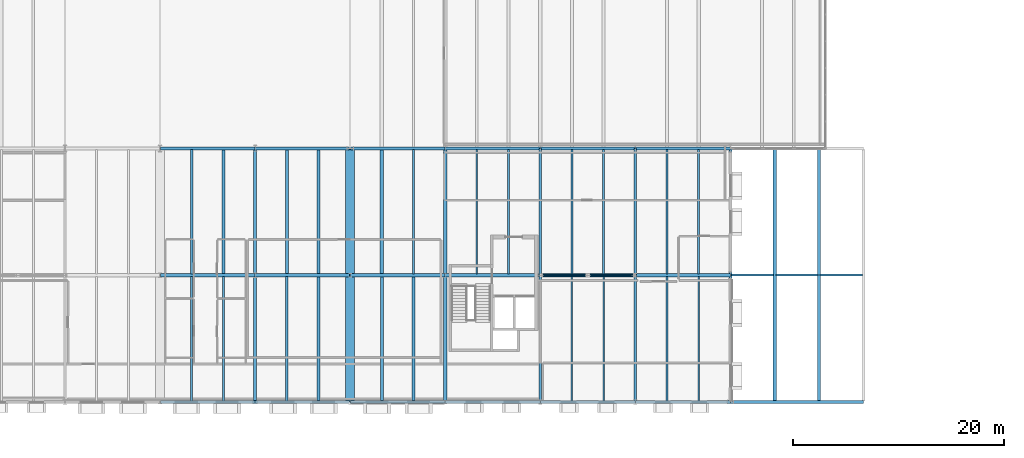
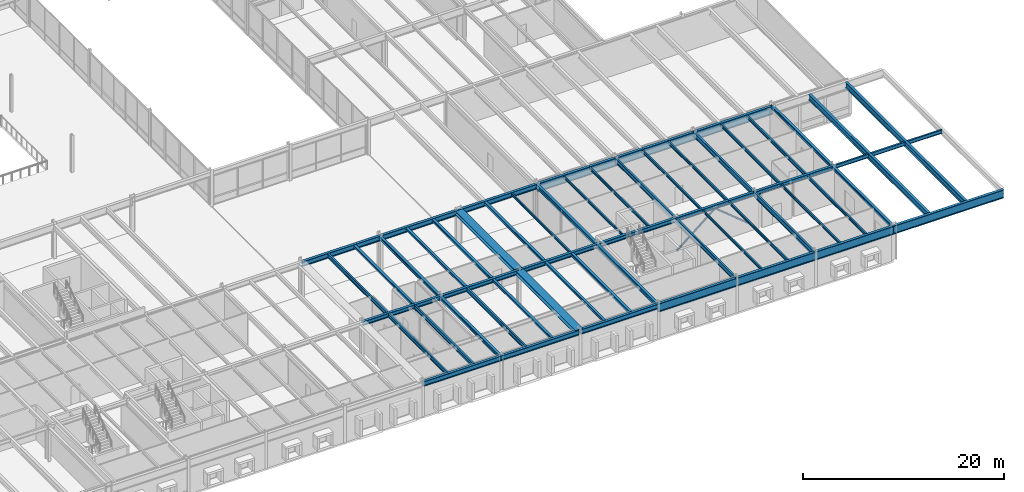
# One storey, part 35 of 115: 58 beams, 2 members.
"""IFC4 building model written with IfcOpenShell, lengths in metres."""

import ifcopenshell
import ifcopenshell.guid

model = None  # the IFC model being written
_history = None  # IfcOwnerHistory: only IFC2X3 demands one
_inside = {}  # id of a spatial element -> (the spatial element, [elements in it])
_under = {}  # id of a project, library or spatial element -> (it, [spatial elements below it])
_declared = {}  # id of a project -> (the project, [libraries it declares])
_typed = {}  # id of a type object -> (the type object, [elements of that type])
_made_of = {}  # id of a material, layer set ... -> (it, [elements and type objects made of it])


def new_model(schema):
    """Start an empty IFC model of exactly this schema.

    Asked for "IFC4X3", IfcOpenShell would pick the latest addendum, in which some entities
    have other attributes; the version numbers below select the first issue.
    IFC2X3 requires an IfcOwnerHistory on every rooted entity: one is made here for all.
    """
    global model, _history
    if schema == "IFC4X3":
        model = ifcopenshell.file(schema_version=(4, 3, 0, 0))
    else:
        model = ifcopenshell.file(schema=schema)
    _inside.clear()
    _under.clear()
    _declared.clear()
    _typed.clear()
    _made_of.clear()
    _history = None
    if model.schema == "IFC2X3":
        org = make("IfcOrganization", Name="unknown")
        user = make(
            "IfcPersonAndOrganization",
            ThePerson=make("IfcPerson", FamilyName="unknown"),
            TheOrganization=org,
        )
        app = make(
            "IfcApplication",
            ApplicationDeveloper=org,
            Version="unknown",
            ApplicationFullName="unknown",
            ApplicationIdentifier="unknown",
        )
        _history = make(
            "IfcOwnerHistory",
            OwningUser=user,
            OwningApplication=app,
            ChangeAction="ADDED",
            CreationDate=0,
        )
    return model


def make(cls, **values):
    """One entity of the class cls with the attributes given. An attribute that is None is left unset."""
    return model.create_entity(
        cls, **{name: value for name, value in values.items() if value is not None}
    )


def rooted(cls, **values):
    """An entity with a GlobalId (a new one), such as an element, a storey or a relation."""
    return make(cls, GlobalId=ifcopenshell.guid.new(), OwnerHistory=_history, **values)


def si_unit(unit_type, name, prefix=None):
    """IfcSIUnit, for example si_unit("LENGTHUNIT", "METRE", prefix="MILLI")."""
    return make("IfcSIUnit", UnitType=unit_type, Prefix=prefix, Name=name)


def assignment(units):
    """IfcUnitAssignment: the units of a project."""
    return None if units is None else make("IfcUnitAssignment", Units=units)


def point(xyz):
    """IfcCartesianPoint."""
    return None if xyz is None else make("IfcCartesianPoint", Coordinates=xyz)


def direction(xyz):
    """IfcDirection."""
    return None if xyz is None else make("IfcDirection", DirectionRatios=xyz)


def frame(location, z_axis=None, x_axis=None):
    """IfcAxis2Placement3D, a coordinate frame: its origin and axes. An axis left out is left unset."""
    return make(
        "IfcAxis2Placement3D",
        Location=point(location),
        Axis=direction(z_axis),
        RefDirection=direction(x_axis),
    )


def frame_2d(location, x_axis=None):
    """IfcAxis2Placement2D, a coordinate frame in the plane: its origin and x axis."""
    return make(
        "IfcAxis2Placement2D", Location=point(location), RefDirection=direction(x_axis)
    )


def origin():
    """The frame at (0, 0, 0) with its axes left unset."""
    return frame((0.0, 0.0, 0.0))


def origin_2d():
    """The frame at (0, 0) in the plane with its x axis left unset."""
    return frame_2d((0.0, 0.0))


def place(relative_to, where):
    """IfcLocalPlacement: puts the frame where relative to a parent placement (None: the world)."""
    return make(
        "IfcLocalPlacement", PlacementRelTo=relative_to, RelativePlacement=where
    )


def context(
    kind, dimensions, precision=None, world=None, true_north=None, identifier=None
):
    """IfcGeometricRepresentationContext, for example the 3D "Model" context."""
    return make(
        "IfcGeometricRepresentationContext",
        ContextIdentifier=identifier,
        ContextType=kind,
        CoordinateSpaceDimension=dimensions,
        Precision=precision,
        WorldCoordinateSystem=world,
        TrueNorth=true_north,
    )


def subcontext(parent, identifier, kind, view, scale=None):
    """IfcGeometricRepresentationSubContext, for example "Body" below "Model"."""
    return make(
        "IfcGeometricRepresentationSubContext",
        ContextIdentifier=identifier,
        ContextType=kind,
        ParentContext=parent,
        TargetScale=scale,
        TargetView=view,
    )


def project(units=None, contexts=None):
    """IfcProject with its units and contexts."""
    return rooted(
        "IfcProject",
        Name="project",
        RepresentationContexts=contexts,
        UnitsInContext=assignment(units),
    )


def spatial(cls, under=None, at=None, **own):
    """A site, building, storey or space (cls), placed at a placement, below another one or the project."""
    s = rooted(cls, ObjectPlacement=at, **own)
    if under is not None:
        _under.setdefault(under.id(), (under, []))[1].append(s)
    return s


def profile(cls, at=None, kind="AREA", **sizes):
    """A parametric profile (cls). Its sizes go by their IFC names, for example OverallWidth=200.0."""
    return make(cls, ProfileType=kind, Position=at, **sizes)


def hollow_circle(**sizes):
    """IfcCircleHollowProfileDef."""
    return profile("IfcCircleHollowProfileDef", **sizes)


def i_section(**sizes):
    """IfcIShapeProfileDef."""
    return profile("IfcIShapeProfileDef", **sizes)


def extrude(swept, where, along, depth):
    """IfcExtrudedAreaSolid: the profile swept, set in the frame where, extruded along a direction by depth."""
    return make(
        "IfcExtrudedAreaSolid",
        SweptArea=swept,
        Position=where,
        ExtrudedDirection=direction(along),
        Depth=depth,
    )


def shape(context_of_items, identifier, shape_type, items):
    """IfcShapeRepresentation: the items that make up one representation, for example the "Body"."""
    return make(
        "IfcShapeRepresentation",
        ContextOfItems=context_of_items,
        RepresentationIdentifier=identifier,
        RepresentationType=shape_type,
        Items=items,
    )


def material(Name=None, Category=None):
    """IfcMaterial."""
    return make("IfcMaterial", Name=Name, Category=Category)


def material_profile(
    of_material, cross_section, Name=None, Category=None, Priority=None
):
    """IfcMaterialProfile: a cross section and its material."""
    return make(
        "IfcMaterialProfile",
        Name=Name,
        Material=of_material,
        Profile=cross_section,
        Priority=Priority,
        Category=Category,
    )


def profile_set(profiles, Name=None, composite=None):
    """IfcMaterialProfileSet."""
    return make(
        "IfcMaterialProfileSet",
        Name=Name,
        MaterialProfiles=profiles,
        CompositeProfile=composite,
    )


def made_of(thing, what):
    """Note that an element or type object is made of a material, layer set ...; save() writes the relation."""
    if what is not None:
        _made_of.setdefault(what.id(), (what, []))[1].append(thing)
    return thing


def type_object(cls, material=None, **own):
    """A type object (cls), such as IfcWallType, which elements share."""
    return made_of(rooted(cls, **own), material)


def element(
    cls,
    number,
    at=None,
    inside=None,
    cuts=None,
    type_object=None,
    material=None,
    context=None,
    identifier="Body",
    shape_type=None,
    held_by="IfcProductDefinitionShape",
    body=None,
    shapes=None,
    **own,
):
    """One element of the class cls, such as IfcWall. Its Tag is "e" and its number.

    at: its placement. inside: the storey or other place that contains it. cuts: it is an
    opening in that element (IfcRelVoidsElement). A single representation is given by context,
    identifier, shape_type and body (its items); several are given by shapes. held_by: the class
    of the entity that holds the representations. save() writes the other relations.
    """
    e = rooted(cls, Tag="e%d" % number, ObjectPlacement=at, **own)
    if body is not None:
        shapes = [shape(context, identifier, shape_type, body)]
    if shapes is not None:
        e.Representation = make(held_by, Representations=shapes)
    if inside is not None:
        _inside.setdefault(inside.id(), (inside, []))[1].append(e)
    if cuts is not None:
        rooted(
            "IfcRelVoidsElement", RelatingBuildingElement=cuts, RelatedOpeningElement=e
        )
    if type_object is not None:
        _typed.setdefault(type_object.id(), (type_object, []))[1].append(e)
    return made_of(e, material)


def aggregate(whole, parts):
    """IfcRelAggregates: a whole, such as a stair, and the parts it consists of."""
    return rooted("IfcRelAggregates", RelatingObject=whole, RelatedObjects=parts)


def save(model, path):
    """Write the relations noted so far, then the file.

    IfcRelAggregates (storeys below a building ...), IfcRelContainedInSpatialStructure (elements
    in a storey), IfcRelDefinesByType, IfcRelAssociatesMaterial and IfcRelDeclares: one each for
    every whole, place, type object, material and project.
    """
    for whole, parts in _under.values():
        aggregate(whole, parts)
    for where, things in _inside.values():
        rooted(
            "IfcRelContainedInSpatialStructure",
            RelatedElements=things,
            RelatingStructure=where,
        )
    for kind, things in _typed.values():
        rooted("IfcRelDefinesByType", RelatedObjects=things, RelatingType=kind)
    for what, things in _made_of.values():
        rooted("IfcRelAssociatesMaterial", RelatedObjects=things, RelatingMaterial=what)
    for by, libraries in _declared.values():
        rooted("IfcRelDeclares", RelatingContext=by, RelatedDefinitions=libraries)
    model.write(path)


model = new_model("IFC4")

# Units and contexts
model_context = context("Model", 3, precision=1e-05, world=origin(), true_north=direction((0.0, 1.0)))
body_context = subcontext(model_context, "Body", "Model", "MODEL_VIEW")
ifc_project = project(units=[si_unit("LENGTHUNIT", "METRE"), si_unit("AREAUNIT", "SQUARE_METRE"), si_unit("VOLUMEUNIT", "CUBIC_METRE"), si_unit("PLANEANGLEUNIT", "RADIAN"), si_unit("MASSUNIT", "GRAM", prefix="KILO")], contexts=[model_context])

# Site, building, storey
site_placement = place(None, origin())
site = spatial("IfcSite", under=ifc_project, at=site_placement, CompositionType="ELEMENT")
building_placement = place(site_placement, origin())
building = spatial("IfcBuilding", under=site, at=building_placement, Name="Montelvaro Courts of Justice", CompositionType="ELEMENT")
storey_placement = place(building_placement, frame((0.0, 0.0, 9.89990234375)))
storey = spatial("IfcBuildingStorey", under=building, at=storey_placement, Name="L02", CompositionType="ELEMENT", Elevation=9.89990234375)

# Beams
ifc_material = material(Name="Steel S355", Category="steel")
ifc_material_profile_1 = material_profile(ifc_material, i_section(OverallWidth=0.280029296875, OverallDepth=0.27001953125, WebThickness=0.008056640625, FlangeThickness=0.012939453125, at=origin_2d()), Name="HEA 280")
ifc_profile_set_1 = profile_set([ifc_material_profile_1], Name="Steel S355")
beam_type_1 = type_object("IfcBeamType", Name="Beam_HEA280", PredefinedType="BEAM", material=ifc_profile_set_1)
for number, where, z_axis, x_axis, name in (
    (1, (87.0, 12.110107421875, 4.045166015625), (0.0, 1.0, 0.0), (-1.0, 0.0, 0.0), "Beam B-14 L02"),
    (2, (96.0, 0.110107421875, 4.045166015625), (0.0, 1.0, 0.0), (-1.0, 0.0, 0.0), "Beam B-14 L02"),
    (3, (93.0, 12.110107421875, 4.045166015625), (0.0, 1.0, 0.0), (-1.0, 0.0, 0.0), "Beam B-14 L02"),
    (4, (102.0, 0.110107421875, 4.045166015625), (0.0, 1.0, 0.0), (-1.0, 0.0, 0.0), "Beam B-14 L02"),
):
    element("IfcBeam", number, at=place(storey_placement, frame(where, z_axis=z_axis, x_axis=x_axis)), inside=storey, type_object=beam_type_1, Name=name, PredefinedType="BEAM", context=body_context, shape_type="SweptSolid", body=[
        extrude(i_section(OverallWidth=0.280029296875, OverallDepth=0.27001953125, WebThickness=0.008056640625, FlangeThickness=0.012939453125, at=origin_2d()), origin(), (0.0, 0.0, 1.0), 11.77978515625),
    ])
ifc_material_profile_2 = material_profile(ifc_material, i_section(OverallWidth=0.300048828125, OverallDepth=0.31005859375, WebThickness=0.009033203125, FlangeThickness=0.015380859375, at=origin_2d()), Name="HEA 320")
ifc_profile_set_2 = profile_set([ifc_material_profile_2], Name="Steel S355")
beam_type_2 = type_object("IfcBeamType", Name="Beam_HEA320", PredefinedType="BEAM", material=ifc_profile_set_2)
for number, where, z_axis, x_axis, name in (
    (5, (96.0, 12.110107421875, 4.025146484375), (0.0, 1.0, 0.0), (-1.0, 0.0, 0.0), "Beam B-15 L02"),
    (6, (105.0, 0.110107421875, 4.025146484375), (0.0, 1.0, 0.0), (-1.0, 0.0, 0.0), "Beam B-15 L02"),
    (7, (102.0, 12.110107421875, 4.025146484375), (0.0, 1.0, 0.0), (-1.0, 0.0, 0.0), "Beam B-15 L02"),
):
    element("IfcBeam", number, at=place(storey_placement, frame(where, z_axis=z_axis, x_axis=x_axis)), inside=storey, type_object=beam_type_2, Name=name, PredefinedType="BEAM", context=body_context, shape_type="SweptSolid", body=[
        extrude(i_section(OverallWidth=0.300048828125, OverallDepth=0.31005859375, WebThickness=0.009033203125, FlangeThickness=0.015380859375, at=origin_2d()), origin(), (0.0, 0.0, 1.0), 11.77978515625),
    ])
ifc_material_profile_3 = material_profile(ifc_material, i_section(OverallWidth=0.300048828125, OverallDepth=0.35009765625, WebThickness=0.010009765625, FlangeThickness=0.017578125, at=origin_2d()), Name="HEA 360")
ifc_profile_set_3 = profile_set([ifc_material_profile_3], Name="Steel S355")
beam_type_3 = type_object("IfcBeamType", Name="Beam_HEA360", PredefinedType="USERDEFINED", material=ifc_profile_set_3)
for number, where, z_axis, x_axis, name in (
    (8, (135.0, 0.0, 4.005126953125), (0.0, 1.0, 0.0), (-1.0, 0.0, 0.0), "Beam B-16 L02"),
    (9, (135.0, 12.0, 4.005126953125), (0.0, 1.0, 0.0), (-1.0, 0.0, 0.0), "Beam B-16 L02"),
):
    element("IfcBeam", number, at=place(storey_placement, frame(where, z_axis=z_axis, x_axis=x_axis)), inside=storey, type_object=beam_type_3, Name=name, ObjectType="GIRDER", PredefinedType="USERDEFINED", context=body_context, shape_type="SweptSolid", body=[
        extrude(i_section(OverallWidth=0.300048828125, OverallDepth=0.35009765625, WebThickness=0.010009765625, FlangeThickness=0.017578125, at=origin_2d()), origin(), (0.0, 0.0, 1.0), 12.0),
    ])
ifc_material_profile_4 = material_profile(ifc_material, i_section(OverallWidth=0.300048828125, OverallDepth=0.389892578125, WebThickness=0.010986328125, FlangeThickness=0.01904296875, at=origin_2d()), Name="HEA 400")
ifc_profile_set_4 = profile_set([ifc_material_profile_4], Name="Steel S355")
beam_type_4 = type_object("IfcBeamType", Name="Beam_HEA400", PredefinedType="USERDEFINED", material=ifc_profile_set_4)
for number, where, z_axis, x_axis, name in (
    (10, (90.0, 0.0, 3.985107421875), (0.0, 1.0, 0.0), (-1.0, 0.0, 0.0), "Beam B-17 L02"),
    (11, (90.0, 12.0, 3.985107421875), (0.0, 1.0, 0.0), (-1.0, 0.0, 0.0), "Beam B-17 L02"),
):
    element("IfcBeam", number, at=place(storey_placement, frame(where, z_axis=z_axis, x_axis=x_axis)), inside=storey, type_object=beam_type_4, Name=name, ObjectType="GIRDER", PredefinedType="USERDEFINED", context=body_context, shape_type="SweptSolid", body=[
        extrude(i_section(OverallWidth=0.300048828125, OverallDepth=0.389892578125, WebThickness=0.010986328125, FlangeThickness=0.01904296875, at=origin_2d()), origin(), (0.0, 0.0, 1.0), 12.0),
    ])
ifc_material_profile_5 = material_profile(ifc_material, i_section(OverallWidth=0.300048828125, OverallDepth=0.489990234375, WebThickness=0.011962890625, FlangeThickness=0.02294921875, at=origin_2d()), Name="HEA 500")
ifc_profile_set_5 = profile_set([ifc_material_profile_5], Name="Steel S355")
beam_type_5 = type_object("IfcBeamType", Name="Beam_HEA500", PredefinedType="USERDEFINED", material=ifc_profile_set_5)
for number, where, z_axis, x_axis, name in (
    (12, (108.0, 0.0, 3.93505859375), (0.0, 1.0, 0.0), (-1.0, 0.0, 0.0), "Beam B-19 L02"),
    (13, (108.0, 12.0, 3.93505859375), (0.0, 1.0, 0.0), (-1.0, 0.0, 0.0), "Beam B-19 L02"),
):
    element("IfcBeam", number, at=place(storey_placement, frame(where, z_axis=z_axis, x_axis=x_axis)), inside=storey, type_object=beam_type_5, Name=name, ObjectType="GIRDER", PredefinedType="USERDEFINED", context=body_context, shape_type="SweptSolid", body=[
        extrude(i_section(OverallWidth=0.300048828125, OverallDepth=0.489990234375, WebThickness=0.011962890625, FlangeThickness=0.02294921875, at=origin_2d()), origin(), (0.0, 0.0, 1.0), 12.0),
    ])
ifc_material_profile_6 = material_profile(ifc_material, i_section(OverallWidth=0.300048828125, OverallDepth=0.590087890625, WebThickness=0.012939453125, FlangeThickness=0.02490234375, at=origin_2d()), Name="HEA 600")
ifc_profile_set_6 = profile_set([ifc_material_profile_6], Name="Steel S355")
beam_type_6 = type_object("IfcBeamType", Name="Beam_HEA600", PredefinedType="USERDEFINED", material=ifc_profile_set_6)
for number, where, z_axis, x_axis, name in (
    (14, (81.050048828125, 0.0, 3.885009765625), (1.0, 0.0, 0.0), (0.0, 1.0, 0.0), "Beam B-21 L02"),
    (15, (90.0, 0.0, 3.885009765625), (1.0, 0.0, 0.0), (0.0, 1.0, 0.0), "Beam B-21 L02"),
    (16, (99.050048828125, 0.0, 3.885009765625), (1.0, 0.0, 0.0), (0.0, 1.0, 0.0), "Beam B-21 L02"),
):
    element("IfcBeam", number, at=place(storey_placement, frame(where, z_axis=z_axis, x_axis=x_axis)), inside=storey, type_object=beam_type_6, Name=name, ObjectType="GIRDER", PredefinedType="USERDEFINED", context=body_context, shape_type="SweptSolid", body=[
        extrude(i_section(OverallWidth=0.300048828125, OverallDepth=0.590087890625, WebThickness=0.012939453125, FlangeThickness=0.02490234375, at=origin_2d()), origin(), (0.0, 0.0, 1.0), 8.949951171875),
    ])
ifc_material_profile_7 = material_profile(ifc_material, i_section(OverallWidth=0.300048828125, OverallDepth=0.5, WebThickness=0.014404296875, FlangeThickness=0.028076171875, at=origin_2d()), Name="HEB 500")
ifc_profile_set_7 = profile_set([ifc_material_profile_7], Name="Steel S355")
beam_type_7 = type_object("IfcBeamType", Name="Beam_HEB500", PredefinedType="USERDEFINED", material=ifc_profile_set_7)
for number, where, z_axis, x_axis, name in (
    (17, (81.050048828125, 12.0, 3.93017578125), (1.0, 0.0, 0.0), (0.0, 1.0, 0.0), "Beam B-25 L02"),
    (18, (90.0, 12.0, 3.93017578125), (1.0, 0.0, 0.0), (0.0, 1.0, 0.0), "Beam B-25 L02"),
    (19, (99.050048828125, 12.0, 3.93017578125), (1.0, 0.0, 0.0), (0.0, 1.0, 0.0), "Beam B-25 L02"),
):
    element("IfcBeam", number, at=place(storey_placement, frame(where, z_axis=z_axis, x_axis=x_axis)), inside=storey, type_object=beam_type_7, Name=name, ObjectType="GIRDER", PredefinedType="USERDEFINED", context=body_context, shape_type="SweptSolid", body=[
        extrude(i_section(OverallWidth=0.300048828125, OverallDepth=0.5, WebThickness=0.014404296875, FlangeThickness=0.028076171875, at=origin_2d()), origin(), (0.0, 0.0, 1.0), 8.949951171875),
    ])
for number, where, z_axis, x_axis, name in (
    (20, (108.0, 12.0, 3.93017578125), (1.0, 0.0, 0.0), (0.0, 1.0, 0.0), "Beam B-25 L02"),
    (21, (117.0, 12.0, 3.93017578125), (1.0, 0.0, 0.0), (0.0, 1.0, 0.0), "Beam B-25 L02"),
    (22, (126.0, 12.0, 3.93017578125), (1.0, 0.0, 0.0), (0.0, 1.0, 0.0), "Beam B-25 L02"),
):
    element("IfcBeam", number, at=place(storey_placement, frame(where, z_axis=z_axis, x_axis=x_axis)), inside=storey, type_object=beam_type_7, Name=name, ObjectType="GIRDER", PredefinedType="USERDEFINED", context=body_context, shape_type="SweptSolid", body=[
        extrude(i_section(OverallWidth=0.300048828125, OverallDepth=0.5, WebThickness=0.014404296875, FlangeThickness=0.028076171875, at=origin_2d()), origin(), (0.0, 0.0, 1.0), 9.0),
    ])
ifc_material_profile_8 = material_profile(ifc_material, i_section(OverallWidth=0.300048828125, OverallDepth=0.60009765625, WebThickness=0.015380859375, FlangeThickness=0.030029296875, at=origin_2d()), Name="HEB 600")
ifc_profile_set_8 = profile_set([ifc_material_profile_8], Name="Steel S355")
beam_type_8 = type_object("IfcBeamType", Name="Beam_HEB600", PredefinedType="USERDEFINED", material=ifc_profile_set_8)
for number, where, z_axis, x_axis, name in (
    (23, (81.050048828125, 24.0, 3.880126953125), (1.0, 0.0, 0.0), (0.0, 1.0, 0.0), "Beam B-26 L02"),
    (24, (90.0, 24.0, 3.880126953125), (1.0, 0.0, 0.0), (0.0, 1.0, 0.0), "Beam B-26 L02"),
    (25, (99.050048828125, 24.0, 3.880126953125), (1.0, 0.0, 0.0), (0.0, 1.0, 0.0), "Beam B-26 L02"),
):
    element("IfcBeam", number, at=place(storey_placement, frame(where, z_axis=z_axis, x_axis=x_axis)), inside=storey, type_object=beam_type_8, Name=name, ObjectType="GIRDER", PredefinedType="USERDEFINED", context=body_context, shape_type="SweptSolid", body=[
        extrude(i_section(OverallWidth=0.300048828125, OverallDepth=0.60009765625, WebThickness=0.015380859375, FlangeThickness=0.030029296875, at=origin_2d()), origin(), (0.0, 0.0, 1.0), 8.949951171875),
    ])
ifc_material_profile_9 = material_profile(ifc_material, i_section(OverallWidth=0.300048828125, OverallDepth=0.699951171875, WebThickness=0.01708984375, FlangeThickness=0.031982421875, at=origin_2d()), Name="HEB 700")
ifc_profile_set_9 = profile_set([ifc_material_profile_9], Name="Steel S355")
beam_type_9 = type_object("IfcBeamType", Name="Beam_HEB700", PredefinedType="USERDEFINED", material=ifc_profile_set_9)
for number, where, z_axis, x_axis, name in (
    (26, (139.199951171875, 0.110107421875, 3.830078125), (0.0, 1.0, 0.0), (-1.0, 0.0, 0.0), "Beam B-28 L02"),
    (27, (143.39990234375, 0.110107421875, 3.830078125), (0.0, 1.0, 0.0), (-1.0, 0.0, 0.0), "Beam B-28 L02"),
):
    element("IfcBeam", number, at=place(storey_placement, frame(where, z_axis=z_axis, x_axis=x_axis)), inside=storey, type_object=beam_type_9, Name=name, ObjectType="GIRDER", PredefinedType="USERDEFINED", context=body_context, shape_type="SweptSolid", body=[
        extrude(i_section(OverallWidth=0.300048828125, OverallDepth=0.699951171875, WebThickness=0.01708984375, FlangeThickness=0.031982421875, at=origin_2d()), origin(), (0.0, 0.0, 1.0), 23.77978515625),
    ])
ifc_material_profile_10 = material_profile(ifc_material, i_section(OverallWidth=0.302001953125, OverallDepth=1.008056640625, WebThickness=0.02099609375, FlangeThickness=0.0400390625, at=origin_2d()), Name="HEM 1000")
ifc_profile_set_10 = profile_set([ifc_material_profile_10], Name="Steel S355")
beam_type_10 = type_object("IfcBeamType", Name="Beam_HEM1000", PredefinedType="USERDEFINED", material=ifc_profile_set_10)
for number, where, z_axis, x_axis, name in (
    (28, (108.0, 0.0, 3.676025390625), (1.0, 0.0, 0.0), (0.0, 1.0, 0.0), "Pratt Cantilever Truss Chord CTR-BAR2-S-L03-BS1"),
    (29, (117.0, 0.0, 3.676025390625), (1.0, 0.0, 0.0), (0.0, 1.0, 0.0), "Pratt Cantilever Truss Chord CTR-BAR2-S-L03-BS2"),
    (30, (126.0, 0.0, 3.676025390625), (1.0, 0.0, 0.0), (0.0, 1.0, 0.0), "Pratt Cantilever Truss Chord CTR-BAR2-S-L03-BS3"),
):
    element("IfcBeam", number, at=place(storey_placement, frame(where, z_axis=z_axis, x_axis=x_axis)), inside=storey, type_object=beam_type_10, Name=name, ObjectType="GIRDER", PredefinedType="USERDEFINED", context=body_context, shape_type="SweptSolid", body=[
        extrude(i_section(OverallWidth=0.302001953125, OverallDepth=1.008056640625, WebThickness=0.02099609375, FlangeThickness=0.0400390625, at=origin_2d()), origin(), (0.0, 0.0, 1.0), 9.0),
    ])
beam_1_placement = place(storey_placement, frame((135.0, 0.0, 3.676025390625), z_axis=(1.0, 0.0, 0.0), x_axis=(0.0, 1.0, 0.0)))
element("IfcBeam", 31, at=beam_1_placement, inside=storey, type_object=beam_type_10, Name="Pratt Cantilever Truss Chord CTR-BAR2-S-L03-OVH", ObjectType="GIRDER", PredefinedType="USERDEFINED", context=body_context, shape_type="SweptSolid", body=[
    extrude(i_section(OverallWidth=0.302001953125, OverallDepth=1.008056640625, WebThickness=0.02099609375, FlangeThickness=0.0400390625, at=origin_2d()), origin(), (0.0, 0.0, 1.0), 12.60009765625),
])
for number, where, z_axis, x_axis, name in (
    (32, (108.0, 24.0, 3.676025390625), (1.0, 0.0, 0.0), (0.0, 1.0, 0.0), "Pratt Cantilever Truss Chord CTR-BAR2-N-L03-BS1"),
    (33, (117.0, 24.0, 3.676025390625), (1.0, 0.0, 0.0), (0.0, 1.0, 0.0), "Pratt Cantilever Truss Chord CTR-BAR2-N-L03-BS2"),
    (34, (126.0, 24.0, 3.676025390625), (1.0, 0.0, 0.0), (0.0, 1.0, 0.0), "Pratt Cantilever Truss Chord CTR-BAR2-N-L03-BS3"),
):
    element("IfcBeam", number, at=place(storey_placement, frame(where, z_axis=z_axis, x_axis=x_axis)), inside=storey, type_object=beam_type_10, Name=name, ObjectType="GIRDER", PredefinedType="USERDEFINED", context=body_context, shape_type="SweptSolid", body=[
        extrude(i_section(OverallWidth=0.302001953125, OverallDepth=1.008056640625, WebThickness=0.02099609375, FlangeThickness=0.0400390625, at=origin_2d()), origin(), (0.0, 0.0, 1.0), 9.0),
    ])
ifc_material_profile_11 = material_profile(ifc_material, i_section(OverallWidth=0.14990234375, OverallDepth=0.300048828125, WebThickness=0.007080078125, FlangeThickness=0.0107421875, at=origin_2d()), Name="IPE 300")
ifc_profile_set_11 = profile_set([ifc_material_profile_11], Name="Steel S355")
beam_type_11 = type_object("IfcBeamType", Name="Beam_IPE300", PredefinedType="BEAM", material=ifc_profile_set_11)
for number, where, z_axis, x_axis, name in (
    (35, (105.0, 12.110107421875, 4.030029296875), (0.0, 1.0, 0.0), (-1.0, 0.0, 0.0), "Beam B-05 L02"),
    (36, (111.0, 12.110107421875, 4.030029296875), (0.0, 1.0, 0.0), (-1.0, 0.0, 0.0), "Beam B-05 L02"),
    (37, (120.0, 0.110107421875, 4.030029296875), (0.0, 1.0, 0.0), (-1.0, 0.0, 0.0), "Beam B-05 L02"),
):
    element("IfcBeam", number, at=place(storey_placement, frame(where, z_axis=z_axis, x_axis=x_axis)), inside=storey, type_object=beam_type_11, Name=name, PredefinedType="BEAM", context=body_context, shape_type="SweptSolid", body=[
        extrude(i_section(OverallWidth=0.14990234375, OverallDepth=0.300048828125, WebThickness=0.007080078125, FlangeThickness=0.0107421875, at=origin_2d()), origin(), (0.0, 0.0, 1.0), 11.77978515625),
    ])
ifc_material_profile_12 = material_profile(ifc_material, i_section(OverallWidth=0.159912109375, OverallDepth=0.330078125, WebThickness=0.007568359375, FlangeThickness=0.011474609375, at=origin_2d()), Name="IPE 330")
ifc_profile_set_12 = profile_set([ifc_material_profile_12], Name="Steel S355")
beam_type_12 = type_object("IfcBeamType", Name="Beam_IPE330", PredefinedType="BEAM", material=ifc_profile_set_12)
for number, where, z_axis, x_axis, name in (
    (38, (114.0, 12.110107421875, 4.01513671875), (0.0, 1.0, 0.0), (-1.0, 0.0, 0.0), "Beam B-06 L02"),
    (39, (123.0, 0.110107421875, 4.01513671875), (0.0, 1.0, 0.0), (-1.0, 0.0, 0.0), "Beam B-06 L02"),
    (40, (120.0, 12.110107421875, 4.01513671875), (0.0, 1.0, 0.0), (-1.0, 0.0, 0.0), "Beam B-06 L02"),
    (41, (129.0, 0.110107421875, 4.01513671875), (0.0, 1.0, 0.0), (-1.0, 0.0, 0.0), "Beam B-06 L02"),
):
    element("IfcBeam", number, at=place(storey_placement, frame(where, z_axis=z_axis, x_axis=x_axis)), inside=storey, type_object=beam_type_12, Name=name, PredefinedType="BEAM", context=body_context, shape_type="SweptSolid", body=[
        extrude(i_section(OverallWidth=0.159912109375, OverallDepth=0.330078125, WebThickness=0.007568359375, FlangeThickness=0.011474609375, at=origin_2d()), origin(), (0.0, 0.0, 1.0), 11.77978515625),
    ])
ifc_material_profile_13 = material_profile(ifc_material, i_section(OverallWidth=0.169921875, OverallDepth=0.360107421875, WebThickness=0.008056640625, FlangeThickness=0.0126953125, at=origin_2d()), Name="IPE 360")
ifc_profile_set_13 = profile_set([ifc_material_profile_13], Name="Steel S355")
beam_type_13 = type_object("IfcBeamType", Name="Beam_IPE360", PredefinedType="BEAM", material=ifc_profile_set_13)
for number, where, z_axis, x_axis, name in (
    (42, (123.0, 12.110107421875, 4.0), (0.0, 1.0, 0.0), (-1.0, 0.0, 0.0), "Beam B-07 L02"),
    (43, (132.0, 0.110107421875, 4.0), (0.0, 1.0, 0.0), (-1.0, 0.0, 0.0), "Beam B-07 L02"),
    (44, (129.0, 12.110107421875, 4.0), (0.0, 1.0, 0.0), (-1.0, 0.0, 0.0), "Beam B-07 L02"),
):
    element("IfcBeam", number, at=place(storey_placement, frame(where, z_axis=z_axis, x_axis=x_axis)), inside=storey, type_object=beam_type_13, Name=name, PredefinedType="BEAM", context=body_context, shape_type="SweptSolid", body=[
        extrude(i_section(OverallWidth=0.169921875, OverallDepth=0.360107421875, WebThickness=0.008056640625, FlangeThickness=0.0126953125, at=origin_2d()), origin(), (0.0, 0.0, 1.0), 11.77978515625),
    ])
ifc_material_profile_14 = material_profile(ifc_material, i_section(OverallWidth=0.179931640625, OverallDepth=0.39990234375, WebThickness=0.008544921875, FlangeThickness=0.013427734375, at=origin_2d()), Name="IPE 400")
ifc_profile_set_14 = profile_set([ifc_material_profile_14], Name="Steel S355")
beam_type_14 = type_object("IfcBeamType", Name="Beam_IPE400", PredefinedType="BEAM", material=ifc_profile_set_14)
beam_2_placement = place(storey_placement, frame((132.0, 12.110107421875, 3.97998046875), z_axis=(0.0, 1.0, 0.0), x_axis=(-1.0, 0.0, 0.0)))
element("IfcBeam", 45, at=beam_2_placement, inside=storey, type_object=beam_type_14, Name="Beam B-08 L02", PredefinedType="BEAM", context=body_context, shape_type="SweptSolid", body=[
    extrude(i_section(OverallWidth=0.179931640625, OverallDepth=0.39990234375, WebThickness=0.008544921875, FlangeThickness=0.013427734375, at=origin_2d()), origin(), (0.0, 0.0, 1.0), 11.77978515625),
])
ifc_material_profile_15 = material_profile(ifc_material, i_section(OverallWidth=0.18994140625, OverallDepth=0.449951171875, WebThickness=0.009521484375, FlangeThickness=0.0146484375, at=origin_2d()), Name="IPE 450")
ifc_profile_set_15 = profile_set([ifc_material_profile_15], Name="Steel S355")
beam_type_15 = type_object("IfcBeamType", Name="Beam_IPE450", PredefinedType="BEAM", material=ifc_profile_set_15)
for number, where, z_axis, x_axis, name in (
    (46, (135.110107421875, 12.0, 3.955078125), (1.0, 0.0, 0.0), (0.0, 1.0, 0.0), "Beam B-09 L02"),
    (47, (139.31005859375, 12.0, 3.955078125), (1.0, 0.0, 0.0), (0.0, 1.0, 0.0), "Beam B-09 L02"),
    (48, (143.510009765625, 12.0, 3.955078125), (1.0, 0.0, 0.0), (0.0, 1.0, 0.0), "Beam B-09 L02"),
):
    element("IfcBeam", number, at=place(storey_placement, frame(where, z_axis=z_axis, x_axis=x_axis)), inside=storey, type_object=beam_type_15, Name=name, PredefinedType="BEAM", context=body_context, shape_type="SweptSolid", body=[
        extrude(i_section(OverallWidth=0.18994140625, OverallDepth=0.449951171875, WebThickness=0.009521484375, FlangeThickness=0.0146484375, at=origin_2d()), origin(), (0.0, 0.0, 1.0), 3.97998046875),
    ])
beam_3_placement = place(storey_placement, frame((84.0, 0.110107421875, 3.955078125), z_axis=(0.0, 1.0, 0.0), x_axis=(-1.0, 0.0, 0.0)))
element("IfcBeam", 49, at=beam_3_placement, inside=storey, type_object=beam_type_15, Name="Beam B-09 L02", PredefinedType="BEAM", context=body_context, shape_type="SweptSolid", body=[
    extrude(i_section(OverallWidth=0.18994140625, OverallDepth=0.449951171875, WebThickness=0.009521484375, FlangeThickness=0.0146484375, at=origin_2d()), origin(), (0.0, 0.0, 1.0), 11.77978515625),
])
ifc_material_profile_16 = material_profile(ifc_material, i_section(OverallWidth=0.199951171875, OverallDepth=0.5, WebThickness=0.01025390625, FlangeThickness=0.01611328125, at=origin_2d()), Name="IPE 500")
ifc_profile_set_16 = profile_set([ifc_material_profile_16], Name="Steel S355")
beam_type_16 = type_object("IfcBeamType", Name="Beam_IPE500", PredefinedType="BEAM", material=ifc_profile_set_16)
for number, where, z_axis, x_axis, name in (
    (50, (87.0, 0.110107421875, 3.93017578125), (0.0, 1.0, 0.0), (-1.0, 0.0, 0.0), "Beam B-10 L02"),
    (51, (84.0, 12.110107421875, 3.93017578125), (0.0, 1.0, 0.0), (-1.0, 0.0, 0.0), "Beam B-10 L02"),
    (52, (93.0, 0.110107421875, 3.93017578125), (0.0, 1.0, 0.0), (-1.0, 0.0, 0.0), "Beam B-10 L02"),
):
    element("IfcBeam", number, at=place(storey_placement, frame(where, z_axis=z_axis, x_axis=x_axis)), inside=storey, type_object=beam_type_16, Name=name, PredefinedType="BEAM", context=body_context, shape_type="SweptSolid", body=[
        extrude(i_section(OverallWidth=0.199951171875, OverallDepth=0.5, WebThickness=0.01025390625, FlangeThickness=0.01611328125, at=origin_2d()), origin(), (0.0, 0.0, 1.0), 11.77978515625),
    ])
ifc_material_profile_17 = material_profile(ifc_material, i_section(OverallWidth=0.2099609375, OverallDepth=0.550048828125, WebThickness=0.010986328125, FlangeThickness=0.01708984375, at=origin_2d()), Name="IPE 550")
ifc_profile_set_17 = profile_set([ifc_material_profile_17], Name="Steel S355")
beam_type_17 = type_object("IfcBeamType", Name="Beam_IPE550", PredefinedType="BEAM", material=ifc_profile_set_17)
for number, where, z_axis, x_axis, name in (
    (53, (117.0, 0.0, 3.905029296875), (0.0, 1.0, 0.0), (-1.0, 0.0, 0.0), "Beam B-11 L02"),
    (54, (117.0, 12.0, 3.905029296875), (0.0, 1.0, 0.0), (-1.0, 0.0, 0.0), "Beam B-11 L02"),
):
    element("IfcBeam", number, at=place(storey_placement, frame(where, z_axis=z_axis, x_axis=x_axis)), inside=storey, type_object=beam_type_17, Name=name, PredefinedType="BEAM", context=body_context, shape_type="SweptSolid", body=[
        extrude(i_section(OverallWidth=0.2099609375, OverallDepth=0.550048828125, WebThickness=0.010986328125, FlangeThickness=0.01708984375, at=origin_2d()), origin(), (0.0, 0.0, 1.0), 12.0),
    ])
ifc_material_profile_18 = material_profile(ifc_material, i_section(OverallWidth=0.219970703125, OverallDepth=0.60009765625, WebThickness=0.011962890625, FlangeThickness=0.01904296875, at=origin_2d()), Name="IPE 600")
ifc_profile_set_18 = profile_set([ifc_material_profile_18], Name="Steel S355")
beam_type_18 = type_object("IfcBeamType", Name="Beam_IPE600", PredefinedType="USERDEFINED", material=ifc_profile_set_18)
for number, where, z_axis, x_axis, name in (
    (55, (126.0, 0.0, 3.880126953125), (0.0, 1.0, 0.0), (-1.0, 0.0, 0.0), "Beam B-12 L02"),
    (56, (126.0, 12.0, 3.880126953125), (0.0, 1.0, 0.0), (-1.0, 0.0, 0.0), "Beam B-12 L02"),
):
    element("IfcBeam", number, at=place(storey_placement, frame(where, z_axis=z_axis, x_axis=x_axis)), inside=storey, type_object=beam_type_18, Name=name, ObjectType="GIRDER", PredefinedType="USERDEFINED", context=body_context, shape_type="SweptSolid", body=[
        extrude(i_section(OverallWidth=0.219970703125, OverallDepth=0.60009765625, WebThickness=0.011962890625, FlangeThickness=0.01904296875, at=origin_2d()), origin(), (0.0, 0.0, 1.0), 12.0),
    ])
ifc_material_profile_19 = material_profile(ifc_material, i_section(OverallWidth=0.860107421875, OverallDepth=0.47998046875, WebThickness=0.02001953125, FlangeThickness=0.031982421875, at=origin_2d()), Name="HL 480x860")
ifc_profile_set_19 = profile_set([ifc_material_profile_19], Name="Steel S355")
beam_type_19 = type_object("IfcBeamType", Name="Beam_MJSeat_860", PredefinedType="USERDEFINED", material=ifc_profile_set_19)
for number, where, z_axis, x_axis, name in (
    (57, (99.0, 0.0, 3.940185546875), (0.0, 1.0, 0.0), (-1.0, 0.0, 0.0), "Beam BC-01 L02"),
    (58, (99.0, 12.0, 3.940185546875), (0.0, 1.0, 0.0), (-1.0, 0.0, 0.0), "Beam BC-01 L02"),
):
    element("IfcBeam", number, at=place(storey_placement, frame(where, z_axis=z_axis, x_axis=x_axis)), inside=storey, type_object=beam_type_19, Name=name, ObjectType="GIRDER", PredefinedType="USERDEFINED", context=body_context, shape_type="SweptSolid", body=[
        extrude(i_section(OverallWidth=0.860107421875, OverallDepth=0.47998046875, WebThickness=0.02001953125, FlangeThickness=0.031982421875, at=origin_2d()), origin(), (0.0, 0.0, 1.0), 12.0),
    ])

# Members
ifc_material_profile_20 = material_profile(ifc_material, hollow_circle(Radius=0.109619140625, WallThickness=0.010009765625, at=origin_2d()), Name="CHS 219.1x10")
ifc_profile_set_20 = profile_set([ifc_material_profile_20], Name="Steel S355")
member_type = type_object("IfcMemberType", Name="Mem_CHS219_Brace", PredefinedType="BRACE", material=ifc_profile_set_20)
for number, where, z_axis, x_axis, name in (
    (59, (117.080078125, 12.0, 0.080078125), (0.77362972068, 0.0, 0.633637952841), (0.0, 1.0, 0.0), "Lateral Braced Frame CBF2 Diagonal 1 (L02)"),
    (60, (125.919921875, 12.0, 0.080078125), (-0.77362972068, 0.0, 0.633637952841), (0.0, -1.0, 0.0), "Lateral Braced Frame CBF2 Diagonal 2 (L02)"),
):
    element("IfcMember", number, at=place(storey_placement, frame(where, z_axis=z_axis, x_axis=x_axis)), inside=storey, type_object=member_type, Name=name, PredefinedType="BRACE", context=body_context, shape_type="SweptSolid", body=[
        extrude(hollow_circle(Radius=0.109619140625, WallThickness=0.010009765625, at=origin_2d()), origin(), (0.0, 0.0, 1.0), 5.713134765625),
    ])

save(model, "model.ifc")
